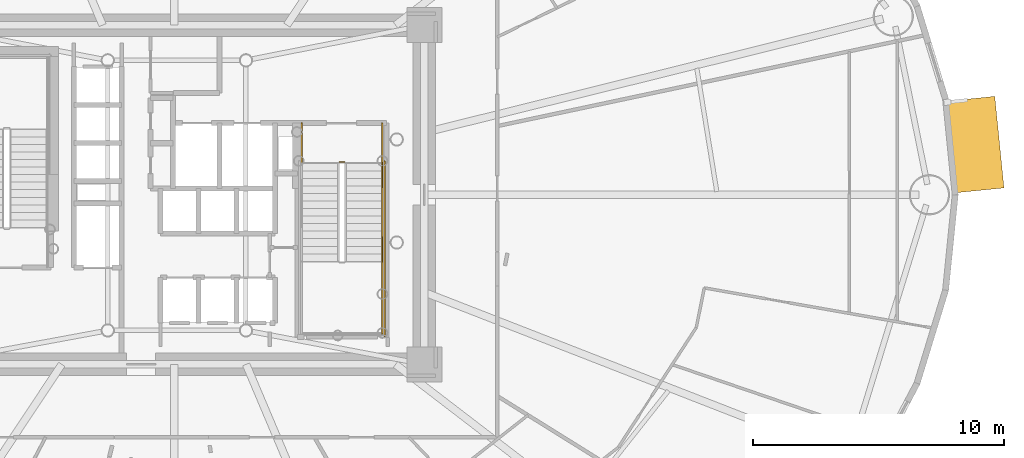
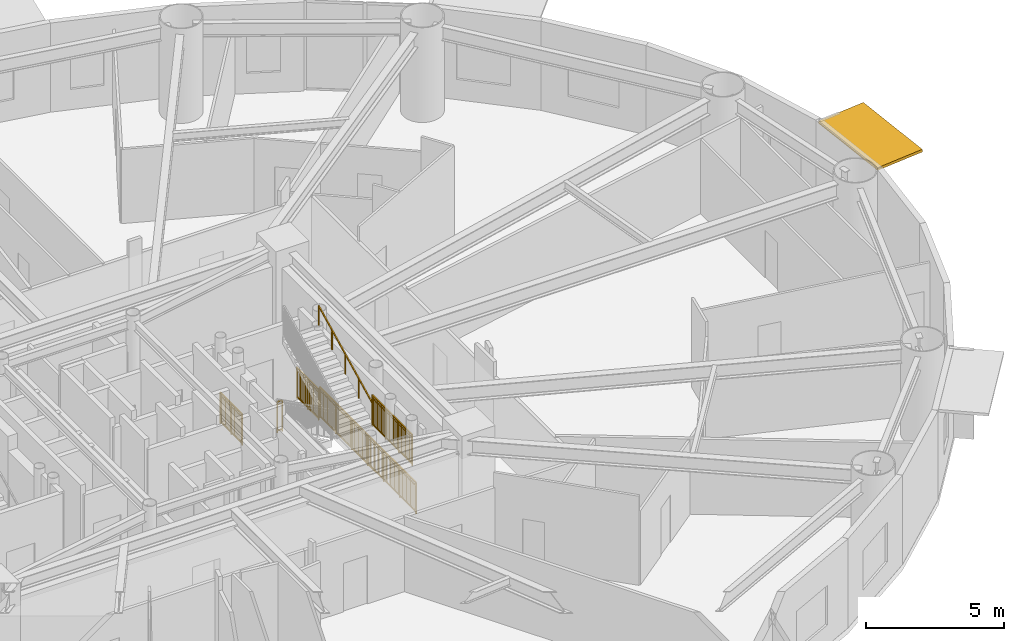
# One storey, part 19 of 20: 6 railings, 1 shading device.
"""IFC4 building model written with IfcOpenShell, lengths in metres."""

from ifc_helpers import new_model, si_unit, direction, frame, origin, origin_2d, place, context, subcontext, project, spatial, rectangle, extrude, source, transform, mapped, material, layer, layer_set, type_object, element, save


model = new_model("IFC4")

# Units and contexts
model_context = context("Model", 3, precision=1e-05, world=origin(), true_north=direction((0.0, 1.0)))
body_context = subcontext(model_context, "Body", "Model", "MODEL_VIEW")
ifc_project = project(units=[si_unit("LENGTHUNIT", "METRE"), si_unit("AREAUNIT", "SQUARE_METRE"), si_unit("VOLUMEUNIT", "CUBIC_METRE"), si_unit("PLANEANGLEUNIT", "RADIAN"), si_unit("MASSUNIT", "GRAM", prefix="KILO")], contexts=[model_context])

# Site, building, storey
site_placement = place(None, origin())
site = spatial("IfcSite", under=ifc_project, at=site_placement, CompositionType="ELEMENT")
building_placement = place(site_placement, origin())
building = spatial("IfcBuilding", under=site, at=building_placement, Name="Linh Dai School and Residence Tower", CompositionType="ELEMENT")
storey_placement = place(building_placement, frame((0.0, 0.0, 66.0)))
storey = spatial("IfcBuildingStorey", under=building, at=storey_placement, Name="L15", CompositionType="ELEMENT", Elevation=66.0)

# Shading device
ifc_material_1 = material(Name="Terracotta Ceramic Sunshade", Category="masonry")
ifc_layer = layer(ifc_material_1, 0.1201171875)
ifc_layer_set = layer_set([ifc_layer], Name="Terracotta Ceramic Sunshade")
shading_device_type = type_object("IfcShadingDeviceType", Name="SHD-TC-2000", PredefinedType="USERDEFINED", material=ifc_layer_set)
shared_shape_1 = source(origin(), body_context, "Body", "SweptSolid", [
    extrude(rectangle(XDim=3.663330078125, YDim=2.0, at=origin_2d()), origin(), (0.0, 0.0, 1.0), 0.1201171875),
])
shading_device_placement = place(storey_placement, frame((67.83935546875, 28.994384765625, 3.81005859375), z_axis=(0.0, 0.0, 1.0), x_axis=(0.100009387998, -0.994986493533, 0.0)))
element("IfcShadingDevice", 1, at=shading_device_placement, inside=storey, type_object=shading_device_type, Name="L15 Terracotta Horizontal Sunshade Band 01", ObjectType="SUNSHADE", PredefinedType="USERDEFINED", context=body_context, shape_type="MappedRepresentation", body=[
    mapped(shared_shape_1, transform((0.0, 0.0, 0.0), x_axis=(1.0, 0.0, 0.0), y_axis=(0.0, 1.0, 0.0), z_axis=(0.0, 0.0, 1.0), scale=1.0)),
])

# Railings
ifc_material_2 = material(Name="Structural Steel S355JR", Category="steel")
railing_type_1 = type_object("IfcRailingType", Name="RL-ST-GUARD-1400", PredefinedType="GUARDRAIL", material=ifc_material_2)
shared_shape_2 = source(origin(), body_context, "Body", "SweptSolid", [
    extrude(rectangle(XDim=0.048095703125, YDim=0.048095703125, at=origin_2d()), frame((0.0, 0.0, 1.3759765625), z_axis=(1.0, 0.0, 0.0), x_axis=(0.0, 1.0, 0.0)), (0.0, 0.0, 1.0), 0.199951171875),
    extrude(rectangle(XDim=0.048095703125, YDim=0.048095703125, at=origin_2d()), frame((0.0, 0.0, 0.10009765625), z_axis=(1.0, 0.0, 0.0), x_axis=(0.0, 1.0, 0.0)), (0.0, 0.0, 1.0), 0.199951171875),
    extrude(rectangle(XDim=0.030029296875, YDim=0.030029296875, at=origin_2d()), frame((0.0, 0.0, 1.239990234375), z_axis=(1.0, 0.0, 0.0), x_axis=(0.0, 1.0, 0.0)), (0.0, 0.0, 1.0), 0.199951171875),
    extrude(rectangle(XDim=0.0419921875, YDim=0.0419921875, at=origin_2d()), origin(), (0.0, 0.0, 1.0), 1.3759765625),
    extrude(rectangle(XDim=0.0419921875, YDim=0.0419921875, at=origin_2d()), frame((0.199951171875, 0.0, 0.0)), (0.0, 0.0, 1.0), 1.3759765625),
])
railing_1_placement = place(storey_placement, frame((42.570068359375, 28.300048828125, 0.0)))
element("IfcRailing", 2, at=railing_1_placement, inside=storey, type_object=railing_type_1, Name="L15 ST2 stair guard 7", PredefinedType="GUARDRAIL", context=body_context, shape_type="MappedRepresentation", body=[
    mapped(shared_shape_2, transform((0.0, 0.0, 0.0), x_axis=(1.0, 0.0, 0.0), y_axis=(0.0, 1.0, 0.0), z_axis=(0.0, 0.0, 1.0), scale=1.0)),
])
shared_shape_3 = source(origin(), body_context, "Body", "SweptSolid", [
    extrude(rectangle(XDim=0.048095703125, YDim=0.048095703125, at=origin_2d()), frame((0.0, 0.0, 1.3759765625), z_axis=(0.0, -1.0, 0.0), x_axis=(1.0, 0.0, 0.0)), (0.0, 0.0, 1.0), 1.60009765625),
    extrude(rectangle(XDim=0.048095703125, YDim=0.048095703125, at=origin_2d()), frame((0.0, 0.0, 0.10009765625), z_axis=(0.0, -1.0, 0.0), x_axis=(1.0, 0.0, 0.0)), (0.0, 0.0, 1.0), 1.60009765625),
    extrude(rectangle(XDim=0.030029296875, YDim=0.030029296875, at=origin_2d()), frame((0.0, 0.0, 1.239990234375), z_axis=(0.0, -1.0, 0.0), x_axis=(1.0, 0.0, 0.0)), (0.0, 0.0, 1.0), 1.60009765625),
    extrude(rectangle(XDim=0.02001953125, YDim=0.02001953125, at=origin_2d()), frame((0.0, -0.09423828125, 0.10009765625)), (0.0, 0.0, 1.0), 1.251708984375),
    extrude(rectangle(XDim=0.02001953125, YDim=0.02001953125, at=origin_2d()), frame((0.0, -0.188232421875, 0.10009765625)), (0.0, 0.0, 1.0), 1.251708984375),
    extrude(rectangle(XDim=0.02001953125, YDim=0.02001953125, at=origin_2d()), frame((0.0, -0.282470703125, 0.10009765625)), (0.0, 0.0, 1.0), 1.251708984375),
    extrude(rectangle(XDim=0.02001953125, YDim=0.02001953125, at=origin_2d()), frame((0.0, -0.37646484375, 0.10009765625)), (0.0, 0.0, 1.0), 1.251708984375),
    extrude(rectangle(XDim=0.02001953125, YDim=0.02001953125, at=origin_2d()), frame((0.0, -0.470703125, 0.10009765625)), (0.0, 0.0, 1.0), 1.251708984375),
    extrude(rectangle(XDim=0.02001953125, YDim=0.02001953125, at=origin_2d()), frame((0.0, -0.564697265625, 0.10009765625)), (0.0, 0.0, 1.0), 1.251708984375),
    extrude(rectangle(XDim=0.02001953125, YDim=0.02001953125, at=origin_2d()), frame((0.0, -0.658935546875, 0.10009765625)), (0.0, 0.0, 1.0), 1.251708984375),
    extrude(rectangle(XDim=0.02001953125, YDim=0.02001953125, at=origin_2d()), frame((0.0, -0.7529296875, 0.10009765625)), (0.0, 0.0, 1.0), 1.251708984375),
    extrude(rectangle(XDim=0.02001953125, YDim=0.02001953125, at=origin_2d()), frame((0.0, -0.84716796875, 0.10009765625)), (0.0, 0.0, 1.0), 1.251708984375),
    extrude(rectangle(XDim=0.02001953125, YDim=0.02001953125, at=origin_2d()), frame((0.0, -0.941162109375, 0.10009765625)), (0.0, 0.0, 1.0), 1.251708984375),
    extrude(rectangle(XDim=0.02001953125, YDim=0.02001953125, at=origin_2d()), frame((0.0, -1.035400390625, 0.10009765625)), (0.0, 0.0, 1.0), 1.251708984375),
    extrude(rectangle(XDim=0.02001953125, YDim=0.02001953125, at=origin_2d()), frame((0.0, -1.12939453125, 0.10009765625)), (0.0, 0.0, 1.0), 1.251708984375),
    extrude(rectangle(XDim=0.02001953125, YDim=0.02001953125, at=origin_2d()), frame((0.0, -1.2236328125, 0.10009765625)), (0.0, 0.0, 1.0), 1.251708984375),
    extrude(rectangle(XDim=0.02001953125, YDim=0.02001953125, at=origin_2d()), frame((0.0, -1.317626953125, 0.10009765625)), (0.0, 0.0, 1.0), 1.251708984375),
    extrude(rectangle(XDim=0.02001953125, YDim=0.02001953125, at=origin_2d()), frame((0.0, -1.411865234375, 0.10009765625)), (0.0, 0.0, 1.0), 1.251708984375),
    extrude(rectangle(XDim=0.02001953125, YDim=0.02001953125, at=origin_2d()), frame((0.0, -1.505859375, 0.10009765625)), (0.0, 0.0, 1.0), 1.251708984375),
    extrude(rectangle(XDim=0.0419921875, YDim=0.0419921875, at=origin_2d()), origin(), (0.0, 0.0, 1.0), 1.3759765625),
    extrude(rectangle(XDim=0.0419921875, YDim=0.0419921875, at=origin_2d()), frame((0.0, -0.800048828125, 0.0)), (0.0, 0.0, 1.0), 1.3759765625),
    extrude(rectangle(XDim=0.0419921875, YDim=0.0419921875, at=origin_2d()), frame((0.0, -1.60009765625, 0.0)), (0.0, 0.0, 1.0), 1.3759765625),
])
for number, where, name in (
    (3, (41.070068359375, 29.85009765625, 0.0), "L15 ST2 stair guard 8"),
    (4, (44.27001953125, 29.85009765625, 0.0), "L15 ST2 stair guard 9"),
):
    element("IfcRailing", number, at=place(storey_placement, frame(where)), inside=storey, type_object=railing_type_1, Name=name, PredefinedType="GUARDRAIL", context=body_context, shape_type="MappedRepresentation", body=[
        mapped(shared_shape_3, transform((0.0, 0.0, 0.0), x_axis=(1.0, 0.0, 0.0), y_axis=(0.0, 1.0, 0.0), z_axis=(0.0, 0.0, 1.0), scale=1.0)),
    ])
shared_shape_4 = source(origin(), body_context, "Body", "SweptSolid", [
    extrude(rectangle(XDim=0.048095703125, YDim=0.048095703125, at=origin_2d()), frame((0.0, 0.0, 1.3759765625), z_axis=(0.0, -1.0, 0.0), x_axis=(1.0, 0.0, 0.0)), (0.0, 0.0, 1.0), 7.0),
    extrude(rectangle(XDim=0.048095703125, YDim=0.048095703125, at=origin_2d()), frame((0.0, 0.0, 0.10009765625), z_axis=(0.0, -1.0, 0.0), x_axis=(1.0, 0.0, 0.0)), (0.0, 0.0, 1.0), 7.0),
    extrude(rectangle(XDim=0.030029296875, YDim=0.030029296875, at=origin_2d()), frame((0.0, 0.0, 1.239990234375), z_axis=(0.0, -1.0, 0.0), x_axis=(1.0, 0.0, 0.0)), (0.0, 0.0, 1.0), 7.0),
    extrude(rectangle(XDim=0.02001953125, YDim=0.02001953125, at=origin_2d()), frame((0.0, -0.09716796875, 0.10009765625)), (0.0, 0.0, 1.0), 1.251708984375),
    extrude(rectangle(XDim=0.02001953125, YDim=0.02001953125, at=origin_2d()), frame((0.0, -0.1943359375, 0.10009765625)), (0.0, 0.0, 1.0), 1.251708984375),
    extrude(rectangle(XDim=0.02001953125, YDim=0.02001953125, at=origin_2d()), frame((0.0, -0.291748046875, 0.10009765625)), (0.0, 0.0, 1.0), 1.251708984375),
    extrude(rectangle(XDim=0.02001953125, YDim=0.02001953125, at=origin_2d()), frame((0.0, -0.388916015625, 0.10009765625)), (0.0, 0.0, 1.0), 1.251708984375),
    extrude(rectangle(XDim=0.02001953125, YDim=0.02001953125, at=origin_2d()), frame((0.0, -0.486083984375, 0.10009765625)), (0.0, 0.0, 1.0), 1.251708984375),
    extrude(rectangle(XDim=0.02001953125, YDim=0.02001953125, at=origin_2d()), frame((0.0, -0.583251953125, 0.10009765625)), (0.0, 0.0, 1.0), 1.251708984375),
    extrude(rectangle(XDim=0.02001953125, YDim=0.02001953125, at=origin_2d()), frame((0.0, -0.6806640625, 0.10009765625)), (0.0, 0.0, 1.0), 1.251708984375),
    extrude(rectangle(XDim=0.02001953125, YDim=0.02001953125, at=origin_2d()), frame((0.0, -0.77783203125, 0.10009765625)), (0.0, 0.0, 1.0), 1.251708984375),
    extrude(rectangle(XDim=0.02001953125, YDim=0.02001953125, at=origin_2d()), frame((0.0, -0.875, 0.10009765625)), (0.0, 0.0, 1.0), 1.251708984375),
    extrude(rectangle(XDim=0.02001953125, YDim=0.02001953125, at=origin_2d()), frame((0.0, -0.97216796875, 0.10009765625)), (0.0, 0.0, 1.0), 1.251708984375),
    extrude(rectangle(XDim=0.02001953125, YDim=0.02001953125, at=origin_2d()), frame((0.0, -1.0693359375, 0.10009765625)), (0.0, 0.0, 1.0), 1.251708984375),
    extrude(rectangle(XDim=0.02001953125, YDim=0.02001953125, at=origin_2d()), frame((0.0, -1.263916015625, 0.10009765625)), (0.0, 0.0, 1.0), 1.251708984375),
    extrude(rectangle(XDim=0.02001953125, YDim=0.02001953125, at=origin_2d()), frame((0.0, -1.361083984375, 0.10009765625)), (0.0, 0.0, 1.0), 1.251708984375),
    extrude(rectangle(XDim=0.02001953125, YDim=0.02001953125, at=origin_2d()), frame((0.0, -1.458251953125, 0.10009765625)), (0.0, 0.0, 1.0), 1.251708984375),
    extrude(rectangle(XDim=0.02001953125, YDim=0.02001953125, at=origin_2d()), frame((0.0, -1.5556640625, 0.10009765625)), (0.0, 0.0, 1.0), 1.251708984375),
    extrude(rectangle(XDim=0.02001953125, YDim=0.02001953125, at=origin_2d()), frame((0.0, -1.65283203125, 0.10009765625)), (0.0, 0.0, 1.0), 1.251708984375),
    extrude(rectangle(XDim=0.02001953125, YDim=0.02001953125, at=origin_2d()), frame((0.0, -1.75, 0.10009765625)), (0.0, 0.0, 1.0), 1.251708984375),
    extrude(rectangle(XDim=0.02001953125, YDim=0.02001953125, at=origin_2d()), frame((0.0, -1.84716796875, 0.10009765625)), (0.0, 0.0, 1.0), 1.251708984375),
    extrude(rectangle(XDim=0.02001953125, YDim=0.02001953125, at=origin_2d()), frame((0.0, -1.9443359375, 0.10009765625)), (0.0, 0.0, 1.0), 1.251708984375),
    extrude(rectangle(XDim=0.02001953125, YDim=0.02001953125, at=origin_2d()), frame((0.0, -2.041748046875, 0.10009765625)), (0.0, 0.0, 1.0), 1.251708984375),
    extrude(rectangle(XDim=0.02001953125, YDim=0.02001953125, at=origin_2d()), frame((0.0, -2.138916015625, 0.10009765625)), (0.0, 0.0, 1.0), 1.251708984375),
    extrude(rectangle(XDim=0.02001953125, YDim=0.02001953125, at=origin_2d()), frame((0.0, -2.236083984375, 0.10009765625)), (0.0, 0.0, 1.0), 1.251708984375),
    extrude(rectangle(XDim=0.02001953125, YDim=0.02001953125, at=origin_2d()), frame((0.0, -2.4306640625, 0.10009765625)), (0.0, 0.0, 1.0), 1.251708984375),
    extrude(rectangle(XDim=0.02001953125, YDim=0.02001953125, at=origin_2d()), frame((0.0, -2.52783203125, 0.10009765625)), (0.0, 0.0, 1.0), 1.251708984375),
    extrude(rectangle(XDim=0.02001953125, YDim=0.02001953125, at=origin_2d()), frame((0.0, -2.625, 0.10009765625)), (0.0, 0.0, 1.0), 1.251708984375),
    extrude(rectangle(XDim=0.02001953125, YDim=0.02001953125, at=origin_2d()), frame((0.0, -2.72216796875, 0.10009765625)), (0.0, 0.0, 1.0), 1.251708984375),
    extrude(rectangle(XDim=0.02001953125, YDim=0.02001953125, at=origin_2d()), frame((0.0, -2.8193359375, 0.10009765625)), (0.0, 0.0, 1.0), 1.251708984375),
    extrude(rectangle(XDim=0.02001953125, YDim=0.02001953125, at=origin_2d()), frame((0.0, -2.916748046875, 0.10009765625)), (0.0, 0.0, 1.0), 1.251708984375),
    extrude(rectangle(XDim=0.02001953125, YDim=0.02001953125, at=origin_2d()), frame((0.0, -3.013916015625, 0.10009765625)), (0.0, 0.0, 1.0), 1.251708984375),
    extrude(rectangle(XDim=0.02001953125, YDim=0.02001953125, at=origin_2d()), frame((0.0, -3.111083984375, 0.10009765625)), (0.0, 0.0, 1.0), 1.251708984375),
    extrude(rectangle(XDim=0.02001953125, YDim=0.02001953125, at=origin_2d()), frame((0.0, -3.208251953125, 0.10009765625)), (0.0, 0.0, 1.0), 1.251708984375),
    extrude(rectangle(XDim=0.02001953125, YDim=0.02001953125, at=origin_2d()), frame((0.0, -3.3056640625, 0.10009765625)), (0.0, 0.0, 1.0), 1.251708984375),
    extrude(rectangle(XDim=0.02001953125, YDim=0.02001953125, at=origin_2d()), frame((0.0, -3.40283203125, 0.10009765625)), (0.0, 0.0, 1.0), 1.251708984375),
    extrude(rectangle(XDim=0.02001953125, YDim=0.02001953125, at=origin_2d()), frame((0.0, -3.59716796875, 0.10009765625)), (0.0, 0.0, 1.0), 1.251708984375),
    extrude(rectangle(XDim=0.02001953125, YDim=0.02001953125, at=origin_2d()), frame((0.0, -3.6943359375, 0.10009765625)), (0.0, 0.0, 1.0), 1.251708984375),
    extrude(rectangle(XDim=0.02001953125, YDim=0.02001953125, at=origin_2d()), frame((0.0, -3.791748046875, 0.10009765625)), (0.0, 0.0, 1.0), 1.251708984375),
    extrude(rectangle(XDim=0.02001953125, YDim=0.02001953125, at=origin_2d()), frame((0.0, -3.888916015625, 0.10009765625)), (0.0, 0.0, 1.0), 1.251708984375),
    extrude(rectangle(XDim=0.02001953125, YDim=0.02001953125, at=origin_2d()), frame((0.0, -3.986083984375, 0.10009765625)), (0.0, 0.0, 1.0), 1.251708984375),
    extrude(rectangle(XDim=0.02001953125, YDim=0.02001953125, at=origin_2d()), frame((0.0, -4.083251953125, 0.10009765625)), (0.0, 0.0, 1.0), 1.251708984375),
    extrude(rectangle(XDim=0.02001953125, YDim=0.02001953125, at=origin_2d()), frame((0.0, -4.1806640625, 0.10009765625)), (0.0, 0.0, 1.0), 1.251708984375),
    extrude(rectangle(XDim=0.02001953125, YDim=0.02001953125, at=origin_2d()), frame((0.0, -4.27783203125, 0.10009765625)), (0.0, 0.0, 1.0), 1.251708984375),
    extrude(rectangle(XDim=0.02001953125, YDim=0.02001953125, at=origin_2d()), frame((0.0, -4.375, 0.10009765625)), (0.0, 0.0, 1.0), 1.251708984375),
    extrude(rectangle(XDim=0.02001953125, YDim=0.02001953125, at=origin_2d()), frame((0.0, -4.47216796875, 0.10009765625)), (0.0, 0.0, 1.0), 1.251708984375),
    extrude(rectangle(XDim=0.02001953125, YDim=0.02001953125, at=origin_2d()), frame((0.0, -4.5693359375, 0.10009765625)), (0.0, 0.0, 1.0), 1.251708984375),
    extrude(rectangle(XDim=0.02001953125, YDim=0.02001953125, at=origin_2d()), frame((0.0, -4.763916015625, 0.10009765625)), (0.0, 0.0, 1.0), 1.251708984375),
    extrude(rectangle(XDim=0.02001953125, YDim=0.02001953125, at=origin_2d()), frame((0.0, -4.861083984375, 0.10009765625)), (0.0, 0.0, 1.0), 1.251708984375),
    extrude(rectangle(XDim=0.02001953125, YDim=0.02001953125, at=origin_2d()), frame((0.0, -4.958251953125, 0.10009765625)), (0.0, 0.0, 1.0), 1.251708984375),
    extrude(rectangle(XDim=0.02001953125, YDim=0.02001953125, at=origin_2d()), frame((0.0, -5.0556640625, 0.10009765625)), (0.0, 0.0, 1.0), 1.251708984375),
    extrude(rectangle(XDim=0.02001953125, YDim=0.02001953125, at=origin_2d()), frame((0.0, -5.15283203125, 0.10009765625)), (0.0, 0.0, 1.0), 1.251708984375),
    extrude(rectangle(XDim=0.02001953125, YDim=0.02001953125, at=origin_2d()), frame((0.0, -5.25, 0.10009765625)), (0.0, 0.0, 1.0), 1.251708984375),
    extrude(rectangle(XDim=0.02001953125, YDim=0.02001953125, at=origin_2d()), frame((0.0, -5.34716796875, 0.10009765625)), (0.0, 0.0, 1.0), 1.251708984375),
    extrude(rectangle(XDim=0.02001953125, YDim=0.02001953125, at=origin_2d()), frame((0.0, -5.4443359375, 0.10009765625)), (0.0, 0.0, 1.0), 1.251708984375),
    extrude(rectangle(XDim=0.02001953125, YDim=0.02001953125, at=origin_2d()), frame((0.0, -5.541748046875, 0.10009765625)), (0.0, 0.0, 1.0), 1.251708984375),
    extrude(rectangle(XDim=0.02001953125, YDim=0.02001953125, at=origin_2d()), frame((0.0, -5.638916015625, 0.10009765625)), (0.0, 0.0, 1.0), 1.251708984375),
    extrude(rectangle(XDim=0.02001953125, YDim=0.02001953125, at=origin_2d()), frame((0.0, -5.736083984375, 0.10009765625)), (0.0, 0.0, 1.0), 1.251708984375),
    extrude(rectangle(XDim=0.02001953125, YDim=0.02001953125, at=origin_2d()), frame((0.0, -5.9306640625, 0.10009765625)), (0.0, 0.0, 1.0), 1.251708984375),
    extrude(rectangle(XDim=0.02001953125, YDim=0.02001953125, at=origin_2d()), frame((0.0, -6.02783203125, 0.10009765625)), (0.0, 0.0, 1.0), 1.251708984375),
    extrude(rectangle(XDim=0.02001953125, YDim=0.02001953125, at=origin_2d()), frame((0.0, -6.125, 0.10009765625)), (0.0, 0.0, 1.0), 1.251708984375),
    extrude(rectangle(XDim=0.02001953125, YDim=0.02001953125, at=origin_2d()), frame((0.0, -6.22216796875, 0.10009765625)), (0.0, 0.0, 1.0), 1.251708984375),
    extrude(rectangle(XDim=0.02001953125, YDim=0.02001953125, at=origin_2d()), frame((0.0, -6.3193359375, 0.10009765625)), (0.0, 0.0, 1.0), 1.251708984375),
    extrude(rectangle(XDim=0.02001953125, YDim=0.02001953125, at=origin_2d()), frame((0.0, -6.416748046875, 0.10009765625)), (0.0, 0.0, 1.0), 1.251708984375),
    extrude(rectangle(XDim=0.02001953125, YDim=0.02001953125, at=origin_2d()), frame((0.0, -6.513916015625, 0.10009765625)), (0.0, 0.0, 1.0), 1.251708984375),
    extrude(rectangle(XDim=0.02001953125, YDim=0.02001953125, at=origin_2d()), frame((0.0, -6.611083984375, 0.10009765625)), (0.0, 0.0, 1.0), 1.251708984375),
    extrude(rectangle(XDim=0.02001953125, YDim=0.02001953125, at=origin_2d()), frame((0.0, -6.708251953125, 0.10009765625)), (0.0, 0.0, 1.0), 1.251708984375),
    extrude(rectangle(XDim=0.02001953125, YDim=0.02001953125, at=origin_2d()), frame((0.0, -6.8056640625, 0.10009765625)), (0.0, 0.0, 1.0), 1.251708984375),
    extrude(rectangle(XDim=0.02001953125, YDim=0.02001953125, at=origin_2d()), frame((0.0, -6.90283203125, 0.10009765625)), (0.0, 0.0, 1.0), 1.251708984375),
    extrude(rectangle(XDim=0.0419921875, YDim=0.0419921875, at=origin_2d()), origin(), (0.0, 0.0, 1.0), 1.3759765625),
    extrude(rectangle(XDim=0.0419921875, YDim=0.0419921875, at=origin_2d()), frame((0.0, -1.166748046875, 0.0)), (0.0, 0.0, 1.0), 1.3759765625),
    extrude(rectangle(XDim=0.0419921875, YDim=0.0419921875, at=origin_2d()), frame((0.0, -2.333251953125, 0.0)), (0.0, 0.0, 1.0), 1.3759765625),
    extrude(rectangle(XDim=0.0419921875, YDim=0.0419921875, at=origin_2d()), frame((0.0, -3.5, 0.0)), (0.0, 0.0, 1.0), 1.3759765625),
    extrude(rectangle(XDim=0.0419921875, YDim=0.0419921875, at=origin_2d()), frame((0.0, -4.666748046875, 0.0)), (0.0, 0.0, 1.0), 1.3759765625),
    extrude(rectangle(XDim=0.0419921875, YDim=0.0419921875, at=origin_2d()), frame((0.0, -5.833251953125, 0.0)), (0.0, 0.0, 1.0), 1.3759765625),
    extrude(rectangle(XDim=0.0419921875, YDim=0.0419921875, at=origin_2d()), frame((0.0, -7.0, 0.0)), (0.0, 0.0, 1.0), 1.3759765625),
])
railing_2_placement = place(storey_placement, frame((44.3701171875, 28.35009765625, 0.0)))
element("IfcRailing", 5, at=railing_2_placement, inside=storey, type_object=railing_type_1, Name="L15 ST2 stair guard 11", PredefinedType="GUARDRAIL", context=body_context, shape_type="MappedRepresentation", body=[
    mapped(shared_shape_4, transform((0.0, 0.0, 0.0), x_axis=(1.0, 0.0, 0.0), y_axis=(0.0, 1.0, 0.0), z_axis=(0.0, 0.0, 1.0), scale=1.0)),
])
shared_shape_5 = source(origin(), body_context, "Body", "SweptSolid", [
    extrude(rectangle(XDim=0.048095703125, YDim=0.048095703125, at=origin_2d()), frame((0.0, 0.0, 1.3759765625), z_axis=(0.0, -1.0, 0.0), x_axis=(1.0, 0.0, 0.0)), (0.0, 0.0, 1.0), 2.900146484375),
    extrude(rectangle(XDim=0.048095703125, YDim=0.048095703125, at=origin_2d()), frame((0.0, 0.0, 0.10009765625), z_axis=(0.0, -1.0, 0.0), x_axis=(1.0, 0.0, 0.0)), (0.0, 0.0, 1.0), 2.900146484375),
    extrude(rectangle(XDim=0.030029296875, YDim=0.030029296875, at=origin_2d()), frame((0.0, 0.0, 1.239990234375), z_axis=(0.0, -1.0, 0.0), x_axis=(1.0, 0.0, 0.0)), (0.0, 0.0, 1.0), 2.900146484375),
    extrude(rectangle(XDim=0.02001953125, YDim=0.02001953125, at=origin_2d()), frame((0.0, -0.0966796875, 0.10009765625)), (0.0, 0.0, 1.0), 1.251708984375),
    extrude(rectangle(XDim=0.02001953125, YDim=0.02001953125, at=origin_2d()), frame((0.0, -0.193359375, 0.10009765625)), (0.0, 0.0, 1.0), 1.251708984375),
    extrude(rectangle(XDim=0.02001953125, YDim=0.02001953125, at=origin_2d()), frame((0.0, -0.2900390625, 0.10009765625)), (0.0, 0.0, 1.0), 1.251708984375),
    extrude(rectangle(XDim=0.02001953125, YDim=0.02001953125, at=origin_2d()), frame((0.0, -0.38671875, 0.10009765625)), (0.0, 0.0, 1.0), 1.251708984375),
    extrude(rectangle(XDim=0.02001953125, YDim=0.02001953125, at=origin_2d()), frame((0.0, -0.4833984375, 0.10009765625)), (0.0, 0.0, 1.0), 1.251708984375),
    extrude(rectangle(XDim=0.02001953125, YDim=0.02001953125, at=origin_2d()), frame((0.0, -0.580078125, 0.10009765625)), (0.0, 0.0, 1.0), 1.251708984375),
    extrude(rectangle(XDim=0.02001953125, YDim=0.02001953125, at=origin_2d()), frame((0.0, -0.6767578125, 0.10009765625)), (0.0, 0.0, 1.0), 1.251708984375),
    extrude(rectangle(XDim=0.02001953125, YDim=0.02001953125, at=origin_2d()), frame((0.0, -0.7734375, 0.10009765625)), (0.0, 0.0, 1.0), 1.251708984375),
    extrude(rectangle(XDim=0.02001953125, YDim=0.02001953125, at=origin_2d()), frame((0.0, -0.8701171875, 0.10009765625)), (0.0, 0.0, 1.0), 1.251708984375),
    extrude(rectangle(XDim=0.02001953125, YDim=0.02001953125, at=origin_2d()), frame((0.0, -1.0634765625, 0.10009765625)), (0.0, 0.0, 1.0), 1.251708984375),
    extrude(rectangle(XDim=0.02001953125, YDim=0.02001953125, at=origin_2d()), frame((0.0, -1.16015625, 0.10009765625)), (0.0, 0.0, 1.0), 1.251708984375),
    extrude(rectangle(XDim=0.02001953125, YDim=0.02001953125, at=origin_2d()), frame((0.0, -1.2568359375, 0.10009765625)), (0.0, 0.0, 1.0), 1.251708984375),
    extrude(rectangle(XDim=0.02001953125, YDim=0.02001953125, at=origin_2d()), frame((0.0, -1.353515625, 0.10009765625)), (0.0, 0.0, 1.0), 1.251708984375),
    extrude(rectangle(XDim=0.02001953125, YDim=0.02001953125, at=origin_2d()), frame((0.0, -1.4501953125, 0.10009765625)), (0.0, 0.0, 1.0), 1.251708984375),
    extrude(rectangle(XDim=0.02001953125, YDim=0.02001953125, at=origin_2d()), frame((0.0, -1.546630859375, 0.10009765625)), (0.0, 0.0, 1.0), 1.251708984375),
    extrude(rectangle(XDim=0.02001953125, YDim=0.02001953125, at=origin_2d()), frame((0.0, -1.643310546875, 0.10009765625)), (0.0, 0.0, 1.0), 1.251708984375),
    extrude(rectangle(XDim=0.02001953125, YDim=0.02001953125, at=origin_2d()), frame((0.0, -1.739990234375, 0.10009765625)), (0.0, 0.0, 1.0), 1.251708984375),
    extrude(rectangle(XDim=0.02001953125, YDim=0.02001953125, at=origin_2d()), frame((0.0, -1.836669921875, 0.10009765625)), (0.0, 0.0, 1.0), 1.251708984375),
    extrude(rectangle(XDim=0.02001953125, YDim=0.02001953125, at=origin_2d()), frame((0.0, -2.030029296875, 0.10009765625)), (0.0, 0.0, 1.0), 1.251708984375),
    extrude(rectangle(XDim=0.02001953125, YDim=0.02001953125, at=origin_2d()), frame((0.0, -2.126708984375, 0.10009765625)), (0.0, 0.0, 1.0), 1.251708984375),
    extrude(rectangle(XDim=0.02001953125, YDim=0.02001953125, at=origin_2d()), frame((0.0, -2.223388671875, 0.10009765625)), (0.0, 0.0, 1.0), 1.251708984375),
    extrude(rectangle(XDim=0.02001953125, YDim=0.02001953125, at=origin_2d()), frame((0.0, -2.320068359375, 0.10009765625)), (0.0, 0.0, 1.0), 1.251708984375),
    extrude(rectangle(XDim=0.02001953125, YDim=0.02001953125, at=origin_2d()), frame((0.0, -2.416748046875, 0.10009765625)), (0.0, 0.0, 1.0), 1.251708984375),
    extrude(rectangle(XDim=0.02001953125, YDim=0.02001953125, at=origin_2d()), frame((0.0, -2.513427734375, 0.10009765625)), (0.0, 0.0, 1.0), 1.251708984375),
    extrude(rectangle(XDim=0.02001953125, YDim=0.02001953125, at=origin_2d()), frame((0.0, -2.610107421875, 0.10009765625)), (0.0, 0.0, 1.0), 1.251708984375),
    extrude(rectangle(XDim=0.02001953125, YDim=0.02001953125, at=origin_2d()), frame((0.0, -2.706787109375, 0.10009765625)), (0.0, 0.0, 1.0), 1.251708984375),
    extrude(rectangle(XDim=0.02001953125, YDim=0.02001953125, at=origin_2d()), frame((0.0, -2.803466796875, 0.10009765625)), (0.0, 0.0, 1.0), 1.251708984375),
    extrude(rectangle(XDim=0.0419921875, YDim=0.0419921875, at=origin_2d()), origin(), (0.0, 0.0, 1.0), 1.3759765625),
    extrude(rectangle(XDim=0.0419921875, YDim=0.0419921875, at=origin_2d()), frame((0.0, -0.966796875, 0.0)), (0.0, 0.0, 1.0), 1.3759765625),
    extrude(rectangle(XDim=0.0419921875, YDim=0.0419921875, at=origin_2d()), frame((0.0, -1.933349609375, 0.0)), (0.0, 0.0, 1.0), 1.3759765625),
    extrude(rectangle(XDim=0.0419921875, YDim=0.0419921875, at=origin_2d()), frame((0.0, -2.900146484375, 0.0)), (0.0, 0.0, 1.0), 1.3759765625),
])
railing_3_placement = place(storey_placement, frame((44.27001953125, 24.35009765625, 2.10009765625)))
element("IfcRailing", 6, at=railing_3_placement, inside=storey, type_object=railing_type_1, Name="L15 ST2 stair guard 4", PredefinedType="GUARDRAIL", context=body_context, shape_type="MappedRepresentation", body=[
    mapped(shared_shape_5, transform((0.0, 0.0, 0.0), x_axis=(1.0, 0.0, 0.0), y_axis=(0.0, 1.0, 0.0), z_axis=(0.0, 0.0, 1.0), scale=1.0)),
])
ifc_material_3 = material(Name="Brushed Stainless Steel Handrail", Category="steel")
railing_type_2 = type_object("IfcRailingType", Name="RL-ST-HANDRAIL-900", PredefinedType="HANDRAIL", material=ifc_material_3)
shared_shape_6 = source(origin(), body_context, "Body", "SweptSolid", [
    extrude(rectangle(XDim=0.048095703125, YDim=0.048095703125, at=origin_2d()), frame((0.0, 0.0, 0.8759765625), z_axis=(0.0, 0.894427191, 0.4472135955), x_axis=(-1.0, 0.0, 0.0)), (0.0, 0.0, 1.0), 4.360107421875),
    extrude(rectangle(XDim=0.0419921875, YDim=0.0419921875, at=origin_2d()), origin(), (0.0, 0.0, 1.0), 0.8759765625),
    extrude(rectangle(XDim=0.0419921875, YDim=0.0419921875, at=origin_2d()), frame((0.0, 0.97509765625, 0.487548828125)), (0.0, 0.0, 1.0), 0.8759765625),
    extrude(rectangle(XDim=0.0419921875, YDim=0.0419921875, at=origin_2d()), frame((0.0, 1.949951171875, 0.97509765625)), (0.0, 0.0, 1.0), 0.8759765625),
    extrude(rectangle(XDim=0.0419921875, YDim=0.0419921875, at=origin_2d()), frame((0.0, 2.9248046875, 1.46240234375)), (0.0, 0.0, 1.0), 0.8759765625),
    extrude(rectangle(XDim=0.0419921875, YDim=0.0419921875, at=origin_2d()), frame((0.0, 3.89990234375, 1.949951171875)), (0.0, 0.0, 1.0), 0.8759765625),
])
railing_4_placement = place(storey_placement, frame((44.27001953125, 24.35009765625, 2.25)))
element("IfcRailing", 7, at=railing_4_placement, inside=storey, type_object=railing_type_2, Name="L15 ST2 stair handrail 2", PredefinedType="HANDRAIL", context=body_context, shape_type="MappedRepresentation", body=[
    mapped(shared_shape_6, transform((0.0, 0.0, 0.0), x_axis=(1.0, 0.0, 0.0), y_axis=(0.0, 1.0, 0.0), z_axis=(0.0, 0.0, 1.0), scale=1.0)),
])

save(model, "model.ifc")
